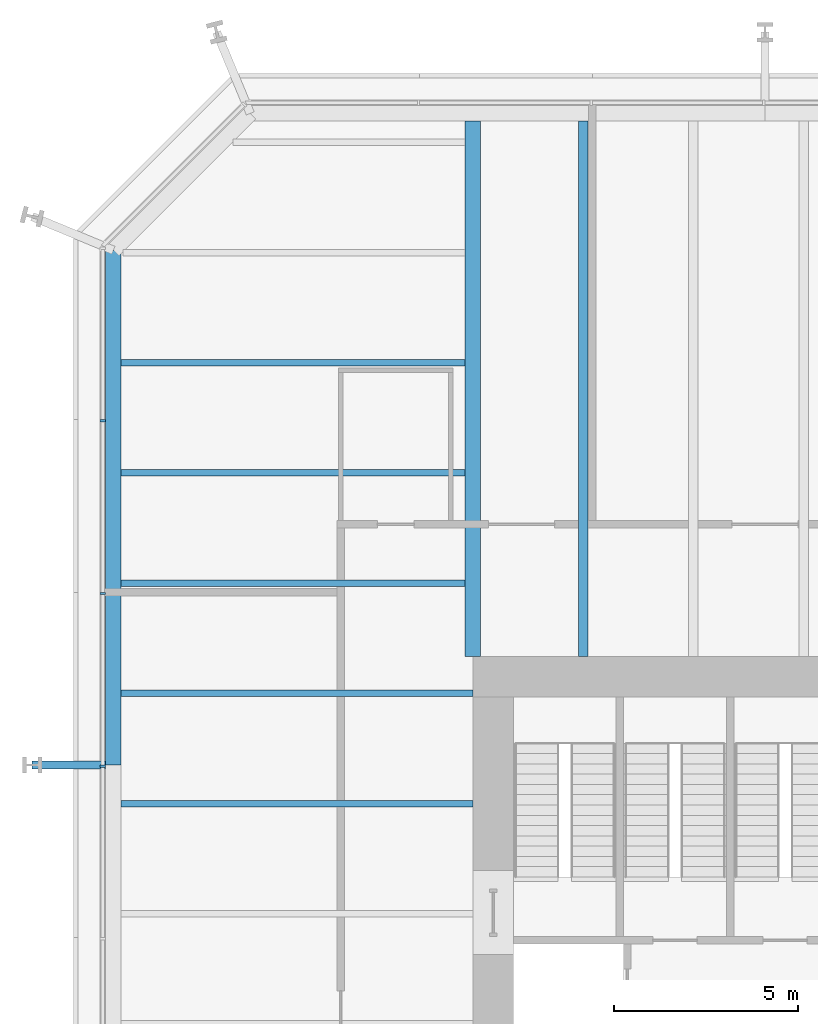
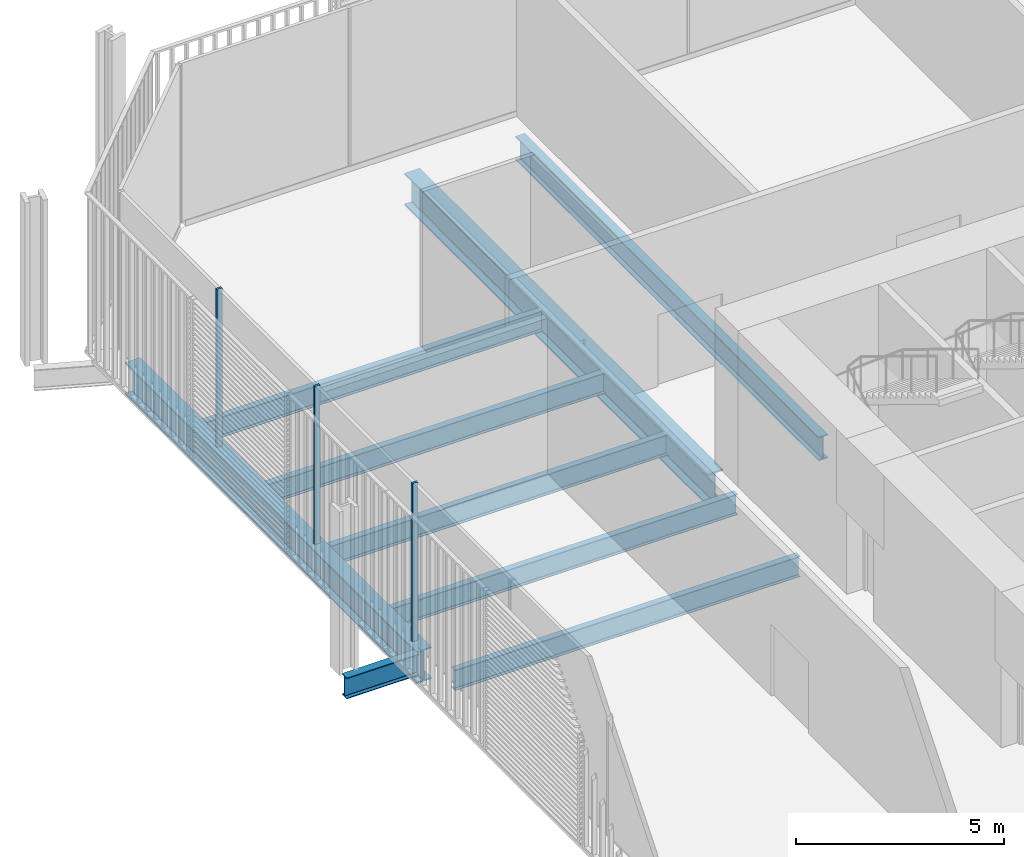
# One storey, part 12 of 22: 9 beams, 3 members, 1 element without a shape of its own.
"""IFC4 building model written with IfcOpenShell, lengths in metres."""

from ifc_helpers import new_model, si_unit, direction, frame, origin, origin_2d, place, context, subcontext, project, spatial, rectangle, i_section, extrude, material, layer, layer_set, material_profile, profile_set, type_object, element, aggregate, save


model = new_model("IFC4")

# Units and contexts
model_context = context("Model", 3, precision=1e-05, world=origin(), true_north=direction((0.0, 1.0)))
body_context = subcontext(model_context, "Body", "Model", "MODEL_VIEW")
ifc_project = project(units=[si_unit("LENGTHUNIT", "METRE"), si_unit("AREAUNIT", "SQUARE_METRE"), si_unit("VOLUMEUNIT", "CUBIC_METRE"), si_unit("PLANEANGLEUNIT", "RADIAN"), si_unit("MASSUNIT", "GRAM", prefix="KILO")], contexts=[model_context])

# Site, building, storey
site_placement = place(None, origin())
site = spatial("IfcSite", under=ifc_project, at=site_placement, CompositionType="ELEMENT")
building_placement = place(site_placement, origin())
building = spatial("IfcBuilding", under=site, at=building_placement, Name="Millrace Tower", CompositionType="ELEMENT")
storey_placement = place(building_placement, frame((0.0, 0.0, 40.10009765625)))
storey = spatial("IfcBuildingStorey", under=building, at=storey_placement, Name="L09", CompositionType="ELEMENT", Elevation=40.10009765625)

# Curtain wall, members
ifc_material_1 = material(Name="Aluminium and glass", Category="aluminium")
ifc_layer = layer(ifc_material_1, 0.14990234375)
ifc_layer_set = layer_set([ifc_layer], Name="Aluminium and glass")
curtain_wall_type = type_object("IfcCurtainWallType", Name="CW-2 data hall insulated curtain wall", PredefinedType="NOTDEFINED", material=ifc_layer_set)
curtain_wall_placement = place(storey_placement, origin())
curtain_wall = element("IfcCurtainWall", 1, at=curtain_wall_placement, inside=storey, type_object=curtain_wall_type, Name="Curtain wall A-F08 L09", PredefinedType="NOTDEFINED")
ifc_material_2 = material(Name="Aluminium", Category="aluminium")
ifc_material_profile_1 = material_profile(ifc_material_2, rectangle(XDim=0.06494140625, YDim=0.14990234375, at=origin_2d()))
ifc_profile_set_1 = profile_set([ifc_material_profile_1], Name="Aluminium")
member_type = type_object("IfcMemberType", Name="CW-2 data hall insulated curtain wall mullion", PredefinedType="MULLION", material=ifc_profile_set_1)
member_1_placement = place(storey_placement, frame((-25.074951171875, 16.41748046875, 0.159912109375), z_axis=(0.0, 0.0, 1.0), x_axis=(0.0, -1.0, 0.0)))
member_1 = element("IfcMember", 2, at=member_1_placement, type_object=member_type, Name="CW2 mullion A-F08.2", PredefinedType="MULLION", context=body_context, shape_type="SweptSolid", body=[
    extrude(rectangle(XDim=0.06494140625, YDim=0.14990234375, at=origin_2d()), origin(), (0.0, 0.0, 1.0), 4.639892578125),
])
member_2_placement = place(storey_placement, frame((-25.074951171875, 11.717529296875, 0.159912109375), z_axis=(0.0, 0.0, 1.0), x_axis=(0.0, -1.0, 0.0)))
member_2 = element("IfcMember", 3, at=member_2_placement, type_object=member_type, Name="CW2 mullion A-F08.3", PredefinedType="MULLION", context=body_context, shape_type="SweptSolid", body=[
    extrude(rectangle(XDim=0.06494140625, YDim=0.14990234375, at=origin_2d()), origin(), (0.0, 0.0, 1.0), 4.639892578125),
])
member_3_placement = place(storey_placement, frame((-25.074951171875, 7.017578125, 0.159912109375), z_axis=(0.0, 0.0, 1.0), x_axis=(0.0, -1.0, 0.0)))
member_3 = element("IfcMember", 4, at=member_3_placement, type_object=member_type, Name="CW2 mullion A-F08.4", PredefinedType="MULLION", context=body_context, shape_type="SweptSolid", body=[
    extrude(rectangle(XDim=0.06494140625, YDim=0.14990234375, at=origin_2d()), origin(), (0.0, 0.0, 1.0), 4.639892578125),
])
aggregate(curtain_wall, [member_1, member_2, member_3])

# Beams
ifc_material_3 = material(Name="Steel ASTM A992 Grade 50", Category="steel")
ifc_material_profile_2 = material_profile(ifc_material_3, i_section(OverallWidth=0.1787109375, OverallDepth=0.60205078125, WebThickness=0.010986328125, FlangeThickness=0.014892578125, FilletRadius=0.0126953125, at=origin_2d()))
ifc_profile_set_2 = profile_set([ifc_material_profile_2], Name="Steel ASTM A992 Grade 50")
beam_type_1 = type_object("IfcBeamType", Name="Floor beam W24x62", PredefinedType="JOIST", material=ifc_profile_set_2)
for number, where, z_axis, x_axis, name in (
    (5, (-24.578369140625, 6.0, -0.526123046875), (1.0, 0.0, 0.0), (0.0, 1.0, 0.0), "BM-A-L09-S1-S027"),
    (6, (-24.578369140625, 9.0, -0.526123046875), (1.0, 0.0, 0.0), (0.0, 1.0, 0.0), "BM-A-L09-S1-S030"),
):
    element("IfcBeam", number, at=place(storey_placement, frame(where, z_axis=z_axis, x_axis=x_axis)), inside=storey, type_object=beam_type_1, Name=name, PredefinedType="JOIST", context=body_context, shape_type="SweptSolid", body=[
        extrude(i_section(OverallWidth=0.1787109375, OverallDepth=0.60205078125, WebThickness=0.010986328125, FlangeThickness=0.014892578125, FilletRadius=0.0126953125, at=origin_2d()), origin(), (0.0, 0.0, 1.0), 9.578369140625),
    ])
for number, where, z_axis, x_axis, name in (
    (7, (-24.578369140625, 12.0, -0.526123046875), (1.0, 0.0, 0.0), (0.0, 1.0, 0.0), "BM-A-L09-S1-S032"),
    (8, (-24.578369140625, 15.0, -0.526123046875), (1.0, 0.0, 0.0), (0.0, 1.0, 0.0), "BM-A-L09-S1-S034"),
    (9, (-24.578369140625, 18.0, -0.526123046875), (1.0, 0.0, 0.0), (0.0, 1.0, 0.0), "BM-A-L09-S1-S036"),
):
    element("IfcBeam", number, at=place(storey_placement, frame(where, z_axis=z_axis, x_axis=x_axis)), inside=storey, type_object=beam_type_1, Name=name, PredefinedType="JOIST", context=body_context, shape_type="SweptSolid", body=[
        extrude(i_section(OverallWidth=0.1787109375, OverallDepth=0.60205078125, WebThickness=0.010986328125, FlangeThickness=0.014892578125, FilletRadius=0.0126953125, at=origin_2d()), origin(), (0.0, 0.0, 1.0), 9.3662109375),
    ])
ifc_material_4 = material(Name="Steel ASTM A992 Grade 50", Category="steel")
ifc_material_profile_3 = material_profile(ifc_material_4, i_section(OverallWidth=0.256591796875, OverallDepth=0.693359375, WebThickness=0.014404296875, FlangeThickness=0.023681640625, FilletRadius=0.01513671875, at=origin_2d()))
ifc_profile_set_3 = profile_set([ifc_material_profile_3], Name="Steel ASTM A992 Grade 50")
beam_type_2 = type_object("IfcBeamType", Name="Floor beam W27x114", PredefinedType="JOIST", material=ifc_profile_set_3)
beam_1_placement = place(storey_placement, frame((-12.0, 10.0, -0.57177734375), z_axis=(0.0, 1.0, 0.0), x_axis=(-1.0, 0.0, 0.0)))
element("IfcBeam", 10, at=beam_1_placement, inside=storey, type_object=beam_type_2, Name="BM-A-L09-S1-S042", PredefinedType="JOIST", context=body_context, shape_type="SweptSolid", body=[
    extrude(i_section(OverallWidth=0.256591796875, OverallDepth=0.693359375, WebThickness=0.014404296875, FlangeThickness=0.023681640625, FilletRadius=0.01513671875, at=origin_2d()), origin(), (0.0, 0.0, 1.0), 14.578369140625),
])
ifc_material_5 = material(Name="Steel ASTM A992 Grade 50", Category="steel")
ifc_material_profile_4 = material_profile(ifc_material_5, i_section(OverallWidth=0.424072265625, OverallDepth=0.947509765625, WebThickness=0.02392578125, FlangeThickness=0.042724609375, FilletRadius=0.024169921875, at=origin_2d()))
ifc_profile_set_4 = profile_set([ifc_material_profile_4], Name="Steel ASTM A992 Grade 50")
beam_type_3 = type_object("IfcBeamType", Name="Girder medium span W36x302", PredefinedType="BEAM", material=ifc_profile_set_4)
beam_2_placement = place(storey_placement, frame((-15.0, 10.0, -0.69873046875), z_axis=(0.0, 1.0, 0.0), x_axis=(-1.0, 0.0, 0.0)))
element("IfcBeam", 11, at=beam_2_placement, inside=storey, type_object=beam_type_3, Name="BM-A-L09-S1-G060", PredefinedType="BEAM", context=body_context, shape_type="SweptSolid", body=[
    extrude(i_section(OverallWidth=0.424072265625, OverallDepth=0.947509765625, WebThickness=0.02392578125, FlangeThickness=0.042724609375, FilletRadius=0.024169921875, at=origin_2d()), origin(), (0.0, 0.0, 1.0), 14.578369140625),
])
ifc_material_6 = material(Name="Steel ASTM A992 Grade 50", Category="steel")
ifc_material_profile_5 = material_profile(ifc_material_6, i_section(OverallWidth=0.23046875, OverallDepth=0.6171875, WebThickness=0.01318359375, FlangeThickness=0.022216796875, FilletRadius=0.012939453125, at=origin_2d()))
ifc_profile_set_5 = profile_set([ifc_material_profile_5], Name="Steel ASTM A992 Grade 50")
beam_type_4 = type_object("IfcBeamType", Name="Link beam W24x94", PredefinedType="BEAM", material=ifc_profile_set_5)
beam_3_placement = place(storey_placement, frame((-25.0, 7.050048828125, -0.53369140625), z_axis=(-1.0, 0.0, 0.0), x_axis=(0.0, -1.0, 0.0)))
element("IfcBeam", 12, at=beam_3_placement, inside=storey, type_object=beam_type_4, Name="LNK-A-L09-S1-03", PredefinedType="BEAM", context=body_context, shape_type="SweptSolid", body=[
    extrude(i_section(OverallWidth=0.23046875, OverallDepth=0.6171875, WebThickness=0.01318359375, FlangeThickness=0.022216796875, FilletRadius=0.012939453125, at=origin_2d()), origin(), (0.0, 0.0, 1.0), 2.0),
])
ifc_material_7 = material(Name="Steel ASTM A992 Grade 50", Category="steel")
ifc_material_profile_6 = material_profile(ifc_material_7, i_section(OverallWidth=0.421630859375, OverallDepth=0.937255859375, WebThickness=0.021240234375, FlangeThickness=0.03662109375, FilletRadius=0.024169921875, at=origin_2d()))
ifc_profile_set_6 = profile_set([ifc_material_profile_6], Name="Steel ASTM A992 Grade 50")
beam_type_5 = type_object("IfcBeamType", Name="Ring beam medium span W36x262", PredefinedType="SPANDREL", material=ifc_profile_set_6)
beam_4_placement = place(storey_placement, frame((-24.7890625, 7.050048828125, -0.69384765625), z_axis=(0.0, 1.0, 0.0), x_axis=(-1.0, 0.0, 0.0)))
element("IfcBeam", 13, at=beam_4_placement, inside=storey, type_object=beam_type_5, Name="RNG-A-L09-S1-03", PredefinedType="SPANDREL", context=body_context, shape_type="SweptSolid", body=[
    extrude(i_section(OverallWidth=0.421630859375, OverallDepth=0.937255859375, WebThickness=0.021240234375, FlangeThickness=0.03662109375, FilletRadius=0.024169921875, at=origin_2d()), origin(), (0.0, 0.0, 1.0), 14.0126953125),
])

save(model, "model.ifc")
